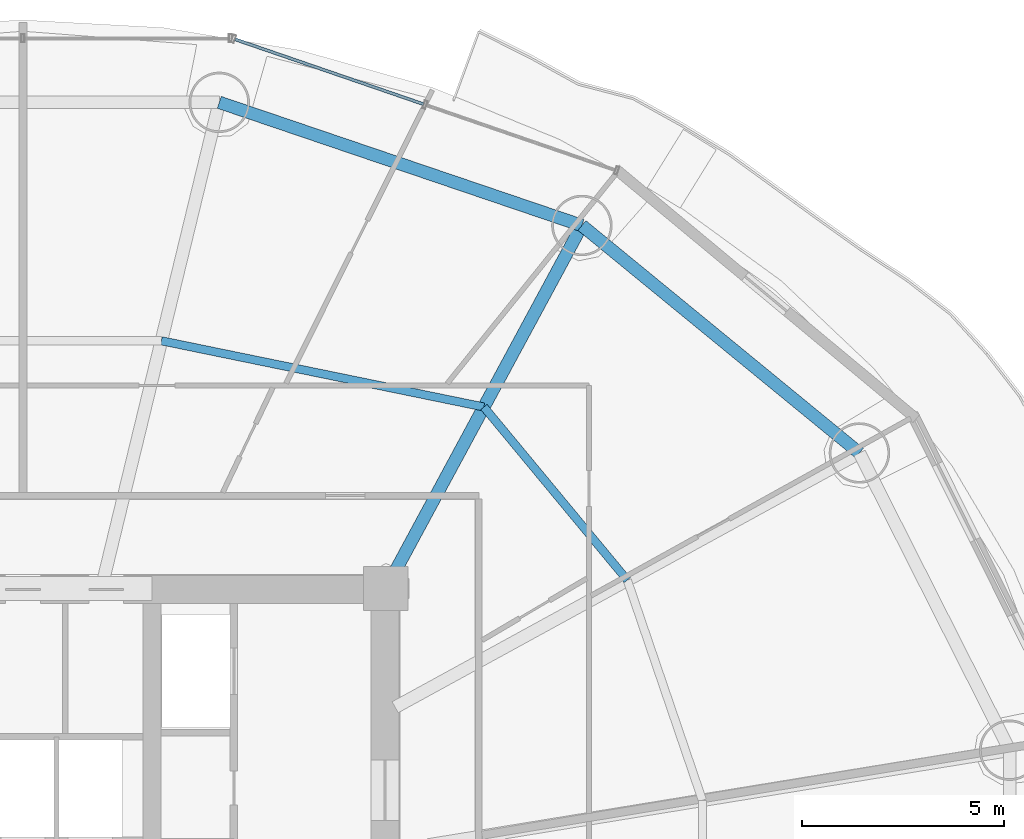
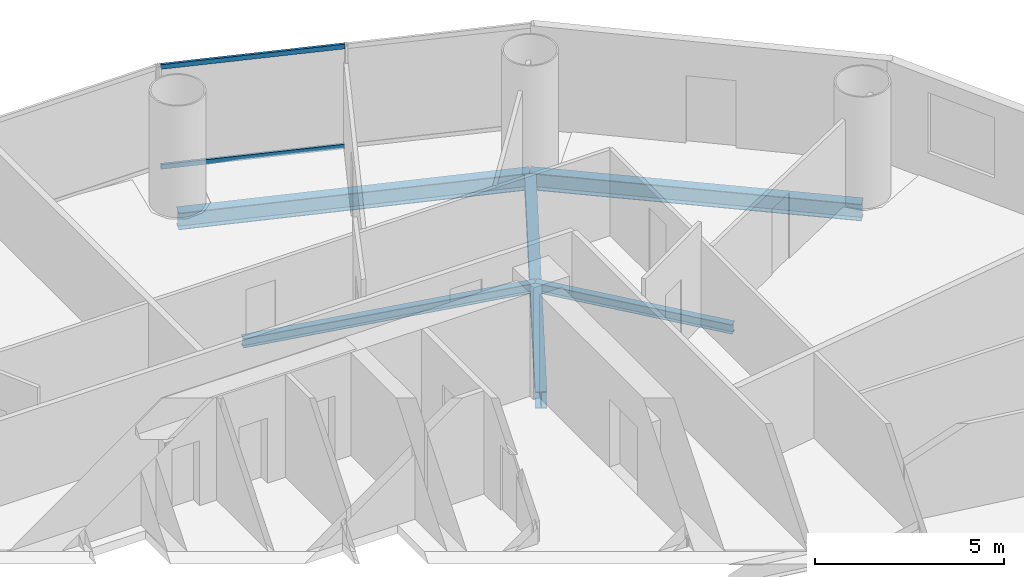
# One storey, part 19 of 29: 5 beams, 2 members, 1 element without a shape of its own.
"""IFC4 building model written with IfcOpenShell, lengths in metres."""

import ifcopenshell
import ifcopenshell.guid

model = None  # the IFC model being written
_history = None  # IfcOwnerHistory: only IFC2X3 demands one
_inside = {}  # id of a spatial element -> (the spatial element, [elements in it])
_under = {}  # id of a project, library or spatial element -> (it, [spatial elements below it])
_declared = {}  # id of a project -> (the project, [libraries it declares])
_typed = {}  # id of a type object -> (the type object, [elements of that type])
_made_of = {}  # id of a material, layer set ... -> (it, [elements and type objects made of it])


def new_model(schema):
    """Start an empty IFC model of exactly this schema.

    Asked for "IFC4X3", IfcOpenShell would pick the latest addendum, in which some entities
    have other attributes; the version numbers below select the first issue.
    IFC2X3 requires an IfcOwnerHistory on every rooted entity: one is made here for all.
    """
    global model, _history
    if schema == "IFC4X3":
        model = ifcopenshell.file(schema_version=(4, 3, 0, 0))
    else:
        model = ifcopenshell.file(schema=schema)
    _inside.clear()
    _under.clear()
    _declared.clear()
    _typed.clear()
    _made_of.clear()
    _history = None
    if model.schema == "IFC2X3":
        org = make("IfcOrganization", Name="unknown")
        user = make(
            "IfcPersonAndOrganization",
            ThePerson=make("IfcPerson", FamilyName="unknown"),
            TheOrganization=org,
        )
        app = make(
            "IfcApplication",
            ApplicationDeveloper=org,
            Version="unknown",
            ApplicationFullName="unknown",
            ApplicationIdentifier="unknown",
        )
        _history = make(
            "IfcOwnerHistory",
            OwningUser=user,
            OwningApplication=app,
            ChangeAction="ADDED",
            CreationDate=0,
        )
    return model


def make(cls, **values):
    """One entity of the class cls with the attributes given. An attribute that is None is left unset."""
    return model.create_entity(
        cls, **{name: value for name, value in values.items() if value is not None}
    )


def rooted(cls, **values):
    """An entity with a GlobalId (a new one), such as an element, a storey or a relation."""
    return make(cls, GlobalId=ifcopenshell.guid.new(), OwnerHistory=_history, **values)


def si_unit(unit_type, name, prefix=None):
    """IfcSIUnit, for example si_unit("LENGTHUNIT", "METRE", prefix="MILLI")."""
    return make("IfcSIUnit", UnitType=unit_type, Prefix=prefix, Name=name)


def assignment(units):
    """IfcUnitAssignment: the units of a project."""
    return None if units is None else make("IfcUnitAssignment", Units=units)


def point(xyz):
    """IfcCartesianPoint."""
    return None if xyz is None else make("IfcCartesianPoint", Coordinates=xyz)


def direction(xyz):
    """IfcDirection."""
    return None if xyz is None else make("IfcDirection", DirectionRatios=xyz)


def frame(location, z_axis=None, x_axis=None):
    """IfcAxis2Placement3D, a coordinate frame: its origin and axes. An axis left out is left unset."""
    return make(
        "IfcAxis2Placement3D",
        Location=point(location),
        Axis=direction(z_axis),
        RefDirection=direction(x_axis),
    )


def frame_2d(location, x_axis=None):
    """IfcAxis2Placement2D, a coordinate frame in the plane: its origin and x axis."""
    return make(
        "IfcAxis2Placement2D", Location=point(location), RefDirection=direction(x_axis)
    )


def origin():
    """The frame at (0, 0, 0) with its axes left unset."""
    return frame((0.0, 0.0, 0.0))


def origin_2d():
    """The frame at (0, 0) in the plane with its x axis left unset."""
    return frame_2d((0.0, 0.0))


def place(relative_to, where):
    """IfcLocalPlacement: puts the frame where relative to a parent placement (None: the world)."""
    return make(
        "IfcLocalPlacement", PlacementRelTo=relative_to, RelativePlacement=where
    )


def context(
    kind, dimensions, precision=None, world=None, true_north=None, identifier=None
):
    """IfcGeometricRepresentationContext, for example the 3D "Model" context."""
    return make(
        "IfcGeometricRepresentationContext",
        ContextIdentifier=identifier,
        ContextType=kind,
        CoordinateSpaceDimension=dimensions,
        Precision=precision,
        WorldCoordinateSystem=world,
        TrueNorth=true_north,
    )


def subcontext(parent, identifier, kind, view, scale=None):
    """IfcGeometricRepresentationSubContext, for example "Body" below "Model"."""
    return make(
        "IfcGeometricRepresentationSubContext",
        ContextIdentifier=identifier,
        ContextType=kind,
        ParentContext=parent,
        TargetScale=scale,
        TargetView=view,
    )


def project(units=None, contexts=None):
    """IfcProject with its units and contexts."""
    return rooted(
        "IfcProject",
        Name="project",
        RepresentationContexts=contexts,
        UnitsInContext=assignment(units),
    )


def spatial(cls, under=None, at=None, **own):
    """A site, building, storey or space (cls), placed at a placement, below another one or the project."""
    s = rooted(cls, ObjectPlacement=at, **own)
    if under is not None:
        _under.setdefault(under.id(), (under, []))[1].append(s)
    return s


def profile(cls, at=None, kind="AREA", **sizes):
    """A parametric profile (cls). Its sizes go by their IFC names, for example OverallWidth=200.0."""
    return make(cls, ProfileType=kind, Position=at, **sizes)


def hollow_rectangle(**sizes):
    """IfcRectangleHollowProfileDef."""
    return profile("IfcRectangleHollowProfileDef", **sizes)


def i_section(**sizes):
    """IfcIShapeProfileDef."""
    return profile("IfcIShapeProfileDef", **sizes)


def extrude(swept, where, along, depth):
    """IfcExtrudedAreaSolid: the profile swept, set in the frame where, extruded along a direction by depth."""
    return make(
        "IfcExtrudedAreaSolid",
        SweptArea=swept,
        Position=where,
        ExtrudedDirection=direction(along),
        Depth=depth,
    )


def shape(context_of_items, identifier, shape_type, items):
    """IfcShapeRepresentation: the items that make up one representation, for example the "Body"."""
    return make(
        "IfcShapeRepresentation",
        ContextOfItems=context_of_items,
        RepresentationIdentifier=identifier,
        RepresentationType=shape_type,
        Items=items,
    )


def source(mapping_origin, context_of_items, identifier, shape_type, items):
    """IfcRepresentationMap: a shape defined once, which mapped items show again and again."""
    return make(
        "IfcRepresentationMap",
        MappingOrigin=mapping_origin,
        MappedRepresentation=shape(context_of_items, identifier, shape_type, items),
    )


def transform(
    local_origin,
    x_axis=None,
    y_axis=None,
    z_axis=None,
    scale=None,
    scale2=None,
    scale3=None,
    uniform=True,
):
    """IfcCartesianTransformationOperator3D, or its non-uniform kind. x_axis, y_axis, z_axis: its Axis1, 2, 3."""
    if uniform:
        return make(
            "IfcCartesianTransformationOperator3D",
            Axis1=direction(x_axis),
            Axis2=direction(y_axis),
            LocalOrigin=point(local_origin),
            Scale=scale,
            Axis3=direction(z_axis),
        )
    return make(
        "IfcCartesianTransformationOperator3DnonUniform",
        Axis1=direction(x_axis),
        Axis2=direction(y_axis),
        LocalOrigin=point(local_origin),
        Scale=scale,
        Axis3=direction(z_axis),
        Scale2=scale2,
        Scale3=scale3,
    )


def mapped(mapping_source, mapping_target):
    """IfcMappedItem: shows the shape of a source again, moved by a transform."""
    return make(
        "IfcMappedItem", MappingSource=mapping_source, MappingTarget=mapping_target
    )


def material(Name=None, Category=None):
    """IfcMaterial."""
    return make("IfcMaterial", Name=Name, Category=Category)


def material_profile(
    of_material, cross_section, Name=None, Category=None, Priority=None
):
    """IfcMaterialProfile: a cross section and its material."""
    return make(
        "IfcMaterialProfile",
        Name=Name,
        Material=of_material,
        Profile=cross_section,
        Priority=Priority,
        Category=Category,
    )


def profile_set(profiles, Name=None, composite=None):
    """IfcMaterialProfileSet."""
    return make(
        "IfcMaterialProfileSet",
        Name=Name,
        MaterialProfiles=profiles,
        CompositeProfile=composite,
    )


def made_of(thing, what):
    """Note that an element or type object is made of a material, layer set ...; save() writes the relation."""
    if what is not None:
        _made_of.setdefault(what.id(), (what, []))[1].append(thing)
    return thing


def type_object(cls, material=None, **own):
    """A type object (cls), such as IfcWallType, which elements share."""
    return made_of(rooted(cls, **own), material)


def element(
    cls,
    number,
    at=None,
    inside=None,
    cuts=None,
    type_object=None,
    material=None,
    context=None,
    identifier="Body",
    shape_type=None,
    held_by="IfcProductDefinitionShape",
    body=None,
    shapes=None,
    **own,
):
    """One element of the class cls, such as IfcWall. Its Tag is "e" and its number.

    at: its placement. inside: the storey or other place that contains it. cuts: it is an
    opening in that element (IfcRelVoidsElement). A single representation is given by context,
    identifier, shape_type and body (its items); several are given by shapes. held_by: the class
    of the entity that holds the representations. save() writes the other relations.
    """
    e = rooted(cls, Tag="e%d" % number, ObjectPlacement=at, **own)
    if body is not None:
        shapes = [shape(context, identifier, shape_type, body)]
    if shapes is not None:
        e.Representation = make(held_by, Representations=shapes)
    if inside is not None:
        _inside.setdefault(inside.id(), (inside, []))[1].append(e)
    if cuts is not None:
        rooted(
            "IfcRelVoidsElement", RelatingBuildingElement=cuts, RelatedOpeningElement=e
        )
    if type_object is not None:
        _typed.setdefault(type_object.id(), (type_object, []))[1].append(e)
    return made_of(e, material)


def aggregate(whole, parts):
    """IfcRelAggregates: a whole, such as a stair, and the parts it consists of."""
    return rooted("IfcRelAggregates", RelatingObject=whole, RelatedObjects=parts)


def save(model, path):
    """Write the relations noted so far, then the file.

    IfcRelAggregates (storeys below a building ...), IfcRelContainedInSpatialStructure (elements
    in a storey), IfcRelDefinesByType, IfcRelAssociatesMaterial and IfcRelDeclares: one each for
    every whole, place, type object, material and project.
    """
    for whole, parts in _under.values():
        aggregate(whole, parts)
    for where, things in _inside.values():
        rooted(
            "IfcRelContainedInSpatialStructure",
            RelatedElements=things,
            RelatingStructure=where,
        )
    for kind, things in _typed.values():
        rooted("IfcRelDefinesByType", RelatedObjects=things, RelatingType=kind)
    for what, things in _made_of.values():
        rooted("IfcRelAssociatesMaterial", RelatedObjects=things, RelatingMaterial=what)
    for by, libraries in _declared.values():
        rooted("IfcRelDeclares", RelatingContext=by, RelatedDefinitions=libraries)
    model.write(path)


model = new_model("IFC4")

# Units and contexts
model_context = context("Model", 3, precision=1e-05, world=origin(), true_north=direction((-0.2419218956, 0.970295726276)))
body_context = subcontext(model_context, "Body", "Model", "MODEL_VIEW")
ifc_project = project(units=[si_unit("LENGTHUNIT", "METRE"), si_unit("AREAUNIT", "SQUARE_METRE"), si_unit("VOLUMEUNIT", "CUBIC_METRE"), si_unit("PLANEANGLEUNIT", "RADIAN"), si_unit("MASSUNIT", "GRAM", prefix="KILO")], contexts=[model_context])

# Site, building, storey
site_placement = place(None, origin())
site = spatial("IfcSite", under=ifc_project, at=site_placement, CompositionType="ELEMENT")
building_placement = place(site_placement, origin())
building = spatial("IfcBuilding", under=site, at=building_placement, Name="Cobrevalo Terracotta Tower", CompositionType="ELEMENT")
storey_placement = place(building_placement, frame((0.0, 0.0, 79.800048828125)))
storey = spatial("IfcBuildingStorey", under=building, at=storey_placement, Name="L20", CompositionType="ELEMENT", Elevation=79.800048828125)

# Beams
ifc_material_1 = material(Name="Steel S355", Category="steel")
ifc_material_profile_1 = material_profile(ifc_material_1, i_section(OverallWidth=0.31201171875, OverallDepth=0.54296875, WebThickness=0.0126953125, FlangeThickness=0.020263671875, at=origin_2d()), Name="W 530x150")
ifc_profile_set_1 = profile_set([ifc_material_profile_1], Name="Steel S355")
beam_type_1 = type_object("IfcBeamType", Name="Structural Beam W 530x150 (Steel S355)", PredefinedType="BEAM", material=ifc_profile_set_1)
beam_1_placement = place(storey_placement, frame((51.861572265625, 43.803466796875, -0.546630859375), z_axis=(-0.475128224431, -0.879916570107, 0.0), x_axis=(0.879916570107, -0.475128224431, 0.0)))
element("IfcBeam", 1, at=beam_1_placement, inside=storey, type_object=beam_type_1, Name="L20 radial floor girder 03", PredefinedType="BEAM", context=body_context, shape_type="SweptSolid", body=[
    extrude(i_section(OverallWidth=0.31201171875, OverallDepth=0.54296875, WebThickness=0.0126953125, FlangeThickness=0.020263671875, at=origin_2d()), origin(), (0.0, 0.0, 1.0), 10.232177734375),
])
ifc_material_profile_2 = material_profile(ifc_material_1, i_section(OverallWidth=0.2041015625, OverallDepth=0.305908203125, WebThickness=0.008544921875, FlangeThickness=0.0146484375, at=origin_2d()), Name="W 310x67")
ifc_profile_set_2 = profile_set([ifc_material_profile_2], Name="Steel S355")
beam_type_2 = type_object("IfcBeamType", Name="Structural Joist W 310x67 (Steel S355)", PredefinedType="JOIST", material=ifc_profile_set_2)
beam_2_placement = place(storey_placement, frame((52.987548828125, 35.00830078125, -0.427978515625), z_axis=(-0.6379592588, 0.77007011636, 0.0), x_axis=(-0.77007011636, -0.6379592588, 0.0)))
element("IfcBeam", 2, at=beam_2_placement, inside=storey, type_object=beam_type_2, Name="L20 circumferential secondary floor joist 02", PredefinedType="JOIST", context=body_context, shape_type="SweptSolid", body=[
    extrude(i_section(OverallWidth=0.2041015625, OverallDepth=0.305908203125, WebThickness=0.008544921875, FlangeThickness=0.0146484375, at=origin_2d()), origin(), (0.0, 0.0, 1.0), 5.575439453125),
])
beam_3_placement = place(storey_placement, frame((49.4306640625, 39.3017578125, -0.427978515625), z_axis=(-0.979574469315, 0.201081722357, 0.0), x_axis=(-0.201081722357, -0.979574469315, 0.0)))
element("IfcBeam", 3, at=beam_3_placement, inside=storey, type_object=beam_type_2, Name="L20 circumferential secondary floor joist 03", PredefinedType="JOIST", context=body_context, shape_type="SweptSolid", body=[
    extrude(i_section(OverallWidth=0.2041015625, OverallDepth=0.305908203125, WebThickness=0.008544921875, FlangeThickness=0.0146484375, at=origin_2d()), origin(), (0.0, 0.0, 1.0), 8.1650390625),
])
ifc_material_profile_3 = material_profile(ifc_material_1, i_section(OverallWidth=0.31201171875, OverallDepth=0.54296875, WebThickness=0.0126953125, FlangeThickness=0.020263671875, at=origin_2d()), Name="W 530x150")
ifc_profile_set_3 = profile_set([ifc_material_profile_3], Name="Steel S355")
beam_type_3 = type_object("IfcBeamType", Name="Structural Spandrel W 530x150 (Steel S355)", PredefinedType="SPANDREL", material=ifc_profile_set_3)
beam_4_placement = place(storey_placement, frame((58.7451171875, 38.161376953125, -0.546630859375), z_axis=(-0.773400923541, 0.633917196064, 0.0), x_axis=(-0.633917196064, -0.773400923541, 0.0)))
element("IfcBeam", 4, at=beam_4_placement, inside=storey, type_object=beam_type_3, Name="L20 perimeter ring spandrel 02", PredefinedType="SPANDREL", context=body_context, shape_type="SweptSolid", body=[
    extrude(i_section(OverallWidth=0.31201171875, OverallDepth=0.54296875, WebThickness=0.0126953125, FlangeThickness=0.020263671875, at=origin_2d()), origin(), (0.0, 0.0, 1.0), 8.900390625),
])
beam_5_placement = place(storey_placement, frame((51.861572265625, 43.803466796875, -0.546630859375), z_axis=(-0.946910528816, 0.32149720126, 0.0), x_axis=(-0.32149720126, -0.946910528816, 0.0)))
element("IfcBeam", 5, at=beam_5_placement, inside=storey, type_object=beam_type_3, Name="L20 perimeter ring spandrel 03", PredefinedType="SPANDREL", context=body_context, shape_type="SweptSolid", body=[
    extrude(i_section(OverallWidth=0.31201171875, OverallDepth=0.54296875, WebThickness=0.0126953125, FlangeThickness=0.020263671875, at=origin_2d()), origin(), (0.0, 0.0, 1.0), 9.498291015625),
])

# Curtain wall, members
ifc_material_2 = material(Name="Anodized aluminium", Category="aluminium")
curtain_wall_type = type_object("IfcCurtainWallType", Name="Lower-tower unitised acoustic low-E curtain wall CW-U1", PredefinedType="NOTDEFINED", material=ifc_material_2)
curtain_wall_placement = place(storey_placement, origin())
curtain_wall = element("IfcCurtainWall", 6, at=curtain_wall_placement, inside=storey, type_object=curtain_wall_type, Name="L20 curtain wall CW-L20-S03", PredefinedType="NOTDEFINED")
ifc_material_profile_4 = material_profile(ifc_material_2, hollow_rectangle(XDim=0.074951171875, YDim=0.14990234375, WallThickness=0.00439453125, at=origin_2d()), Name="CWT 75x150")
ifc_profile_set_4 = profile_set([ifc_material_profile_4], Name="Anodized aluminium")
member_type = type_object("IfcMemberType", Name="Tower unitised aluminium transom 75x150", PredefinedType="USERDEFINED", material=ifc_profile_set_4)
shared_shape = source(origin(), body_context, "Body", "SweptSolid", [
    extrude(hollow_rectangle(XDim=0.074951171875, YDim=0.14990234375, WallThickness=0.00439453125, at=origin_2d()), origin(), (0.0, 0.0, 1.0), 4.944580078125),
])
member_1_placement = place(storey_placement, frame((47.934814453125, 46.811279296875, 0.050048828125), z_axis=(-0.945597859971, 0.32533780478, 0.0), x_axis=(-0.32533780478, -0.945597859971, 0.0)))
member_1 = element("IfcMember", 7, at=member_1_placement, type_object=member_type, Name="CW-L20-S03 transom B02-T1", ObjectType="TRANSOM", PredefinedType="USERDEFINED", context=body_context, shape_type="MappedRepresentation", body=[
    mapped(shared_shape, transform((0.0, 0.0, 0.0), scale=1.0)),
])
member_2_placement = place(storey_placement, frame((47.934814453125, 46.811279296875, 3.27490234375), z_axis=(-0.945597859971, 0.32533780478, 0.0), x_axis=(-0.32533780478, -0.945597859971, 0.0)))
member_2 = element("IfcMember", 8, at=member_2_placement, type_object=member_type, Name="CW-L20-S03 transom B02-T2", ObjectType="TRANSOM", PredefinedType="USERDEFINED", context=body_context, shape_type="MappedRepresentation", body=[
    mapped(shared_shape, transform((0.0, 0.0, 0.0), scale=1.0)),
])
aggregate(curtain_wall, [member_1, member_2])

save(model, "model.ifc")
